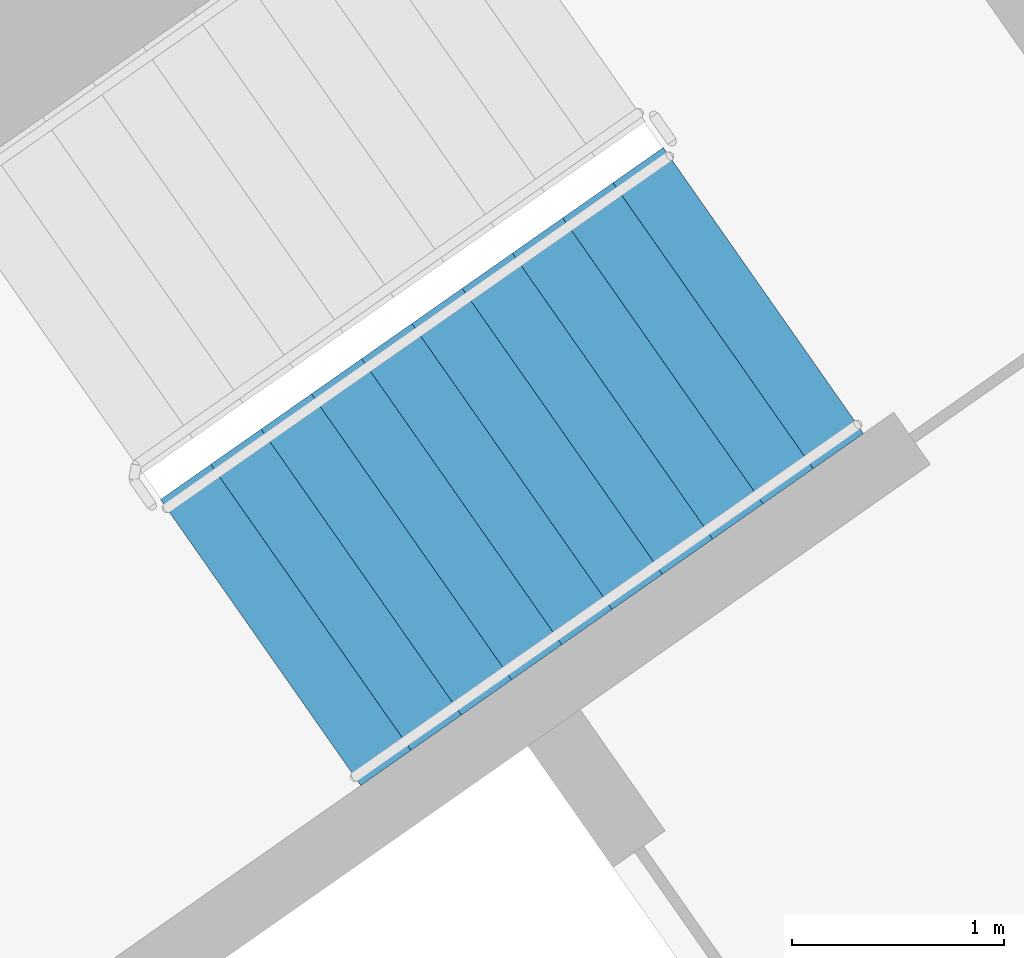
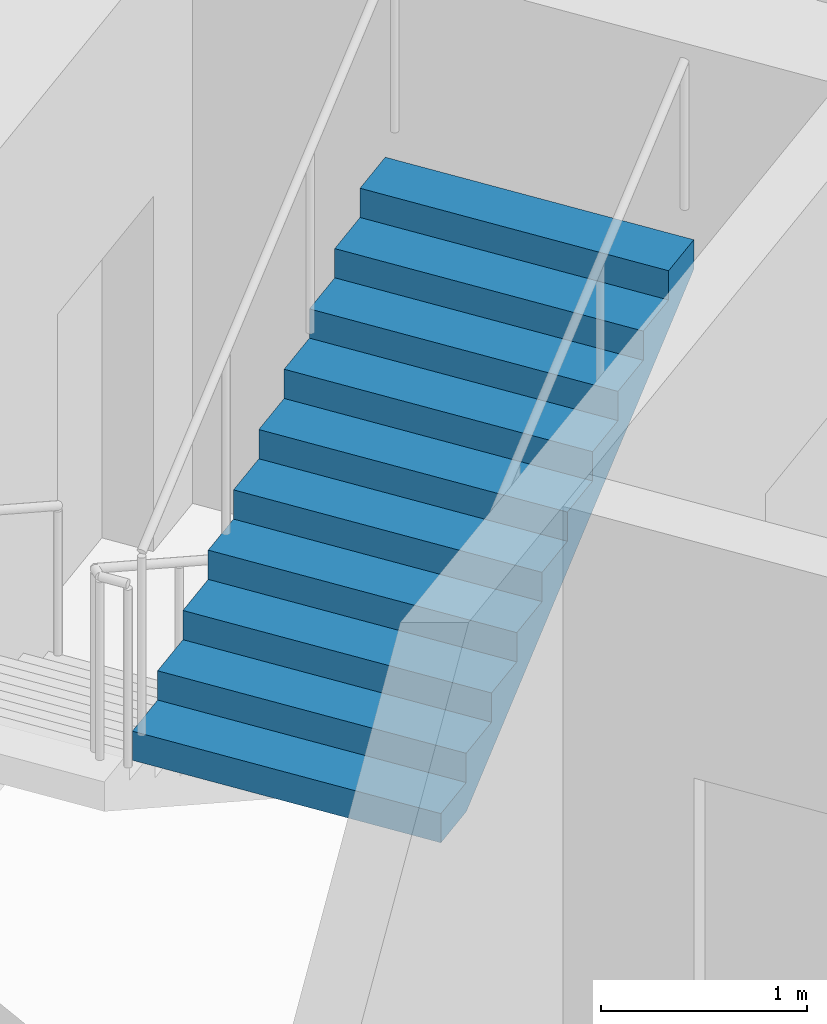
# One storey, part 15 of 27: 1 stair flight, 1 element without a shape of its own.
"""IFC4 building model written with IfcOpenShell, lengths in metres."""

from ifc_helpers import new_model, si_unit, direction, frame, origin, place, context, subcontext, project, spatial, faceted_brep, material, type_object, element, aggregate, save


model = new_model("IFC4")

# Units and contexts
model_context = context("Model", 3, precision=1e-05, world=origin(), true_north=direction((0.0, 1.0)))
body_context = subcontext(model_context, "Body", "Model", "MODEL_VIEW")
ifc_project = project(units=[si_unit("LENGTHUNIT", "METRE"), si_unit("AREAUNIT", "SQUARE_METRE"), si_unit("VOLUMEUNIT", "CUBIC_METRE"), si_unit("PLANEANGLEUNIT", "RADIAN"), si_unit("MASSUNIT", "GRAM", prefix="KILO")], contexts=[model_context])

# Site, building, storey
site_placement = place(None, origin())
site = spatial("IfcSite", under=ifc_project, at=site_placement, CompositionType="ELEMENT")
building_placement = place(site_placement, origin())
building = spatial("IfcBuilding", under=site, at=building_placement, Name="Qamariyya Broadcast Tower", CompositionType="ELEMENT")
storey_placement = place(building_placement, frame((0.0, 0.0, 222.699951171875)))
storey = spatial("IfcBuildingStorey", under=building, at=storey_placement, Name="L53", CompositionType="ELEMENT", Elevation=222.699951171875)

# Stair, stair flight
ifc_material = material(Name="Concrete C50/60", Category="concrete")
stair_type = type_object("IfcStairType", Name="Exit stair 22 risers of 173 mm", PredefinedType="HALF_TURN_STAIR", material=ifc_material)
stair_placement = place(storey_placement, origin())
stair = element("IfcStair", 1, at=stair_placement, inside=storey, type_object=stair_type, Name="L53 Stair E2", PredefinedType="HALF_TURN_STAIR")
stair_flight_type = type_object("IfcStairFlightType", Name="Exit stair flight 11 risers of 173 mm", PredefinedType="STRAIGHT", material=ifc_material)
stair_flight_placement = place(storey_placement, frame((39.215576171875, -50.822998046875, 1.900146484375), z_axis=(0.0, 0.0, 1.0), x_axis=(0.819152044289, 0.573576436351, 0.0)))
stair_flight = element("IfcStairFlight", 2, at=stair_flight_placement, type_object=stair_flight_type, Name="ST-E2 flight 2", NumberOfRisers=11, NumberOfTreads=10, PredefinedType="STRAIGHT", RiserHeight=0.172727273, TreadLength=0.29, context=body_context, shape_type="Brep", body=[
    faceted_brep([(0.0, 0.824951171875, 0.0), (0.0, 0.824951171875, 0.172607421875), (0.2900390625, 0.824951171875, 0.172607421875), (0.2900390625, 0.824951171875, 0.345458984375), (0.580078125, 0.824951171875, 0.345458984375), (0.580078125, 0.824951171875, 0.51806640625), (0.8701171875, 0.824951171875, 0.51806640625), (0.8701171875, 0.824951171875, 0.69091796875), (1.159912109375, 0.824951171875, 0.69091796875), (1.159912109375, 0.824951171875, 0.863525390625), (1.449951171875, 0.824951171875, 0.863525390625), (1.449951171875, 0.824951171875, 1.036376953125), (1.739990234375, 0.824951171875, 1.036376953125), (1.739990234375, 0.824951171875, 1.208984375), (2.030029296875, 0.824951171875, 1.208984375), (2.030029296875, 0.824951171875, 1.3818359375), (2.320068359375, 0.824951171875, 1.3818359375), (2.320068359375, 0.824951171875, 1.554443359375), (2.610107421875, 0.824951171875, 1.554443359375), (2.610107421875, 0.824951171875, 1.727294921875), (2.89990234375, 0.824951171875, 1.727294921875), (2.89990234375, 0.824951171875, 1.552734375), (0.29296875, 0.824951171875, 0.0), (0.29296875, -0.824951171875, 0.0), (2.89990234375, -0.824951171875, 1.552734375), (2.89990234375, -0.824951171875, 1.727294921875), (2.610107421875, -0.824951171875, 1.727294921875), (2.610107421875, -0.824951171875, 1.554443359375), (2.320068359375, -0.824951171875, 1.554443359375), (2.320068359375, -0.824951171875, 1.3818359375), (2.030029296875, -0.824951171875, 1.3818359375), (2.030029296875, -0.824951171875, 1.208984375), (1.739990234375, -0.824951171875, 1.208984375), (1.739990234375, -0.824951171875, 1.036376953125), (1.449951171875, -0.824951171875, 1.036376953125), (1.449951171875, -0.824951171875, 0.863525390625), (1.159912109375, -0.824951171875, 0.863525390625), (1.159912109375, -0.824951171875, 0.69091796875), (0.8701171875, -0.824951171875, 0.69091796875), (0.8701171875, -0.824951171875, 0.51806640625), (0.580078125, -0.824951171875, 0.51806640625), (0.580078125, -0.824951171875, 0.345458984375), (0.2900390625, -0.824951171875, 0.345458984375), (0.2900390625, -0.824951171875, 0.172607421875), (0.0, -0.824951171875, 0.172607421875), (0.0, -0.824951171875, 0.0), (0.0, 0.10009765625, 0.0), (0.0, 0.086669921875, 0.0), (0.0, 0.0732421875, 0.0), (0.0, 0.06005859375, 0.0), (0.0, 0.046630859375, 0.0), (0.0, 0.033447265625, 0.0), (0.0, 0.02001953125, 0.0), (0.0, 0.006591796875, 0.0), (0.0, -0.006591796875, 0.0), (0.0, -0.02001953125, 0.0), (0.0, -0.033447265625, 0.0), (0.0, -0.046630859375, 0.0), (0.0, -0.06005859375, 0.0), (0.0, -0.0732421875, 0.0), (0.0, -0.086669921875, 0.0), (0.0, -0.10009765625, 0.0), (0.0, -0.10009765625, 0.172607421875), (0.0, -0.086669921875, 0.172607421875), (0.0, -0.0732421875, 0.172607421875), (0.0, -0.06005859375, 0.172607421875), (0.0, -0.046630859375, 0.172607421875), (0.0, -0.033447265625, 0.172607421875), (0.0, -0.02001953125, 0.172607421875), (0.0, -0.006591796875, 0.172607421875), (0.0, 0.006591796875, 0.172607421875), (0.0, 0.02001953125, 0.172607421875), (0.0, 0.033447265625, 0.172607421875), (0.0, 0.046630859375, 0.172607421875), (0.0, 0.06005859375, 0.172607421875), (0.0, 0.0732421875, 0.172607421875), (0.0, 0.086669921875, 0.172607421875), (0.0, 0.10009765625, 0.172607421875), (0.2900390625, -0.10009765625, 0.172607421875), (0.2900390625, -0.086669921875, 0.172607421875), (0.2900390625, -0.0732421875, 0.172607421875), (0.2900390625, -0.06005859375, 0.172607421875), (0.2900390625, -0.046630859375, 0.172607421875), (0.2900390625, -0.033447265625, 0.172607421875), (0.2900390625, -0.02001953125, 0.172607421875), (0.2900390625, -0.006591796875, 0.172607421875), (0.2900390625, 0.006591796875, 0.172607421875), (0.2900390625, 0.02001953125, 0.172607421875), (0.2900390625, 0.033447265625, 0.172607421875), (0.2900390625, 0.046630859375, 0.172607421875), (0.2900390625, 0.06005859375, 0.172607421875), (0.2900390625, 0.0732421875, 0.172607421875), (0.2900390625, 0.086669921875, 0.172607421875), (0.2900390625, 0.10009765625, 0.172607421875), (0.2900390625, -0.10009765625, 0.345458984375), (0.2900390625, -0.086669921875, 0.345458984375), (0.2900390625, -0.0732421875, 0.345458984375), (0.2900390625, -0.06005859375, 0.345458984375), (0.2900390625, -0.046630859375, 0.345458984375), (0.2900390625, -0.033447265625, 0.345458984375), (0.2900390625, -0.02001953125, 0.345458984375), (0.2900390625, -0.006591796875, 0.345458984375), (0.2900390625, 0.006591796875, 0.345458984375), (0.2900390625, 0.02001953125, 0.345458984375), (0.2900390625, 0.033447265625, 0.345458984375), (0.2900390625, 0.046630859375, 0.345458984375), (0.2900390625, 0.06005859375, 0.345458984375), (0.2900390625, 0.0732421875, 0.345458984375), (0.2900390625, 0.086669921875, 0.345458984375), (0.2900390625, 0.10009765625, 0.345458984375), (0.580078125, -0.10009765625, 0.345458984375), (0.580078125, -0.086669921875, 0.345458984375), (0.580078125, -0.0732421875, 0.345458984375), (0.580078125, -0.06005859375, 0.345458984375), (0.580078125, -0.046630859375, 0.345458984375), (0.580078125, -0.033447265625, 0.345458984375), (0.580078125, -0.02001953125, 0.345458984375), (0.580078125, -0.006591796875, 0.345458984375), (0.580078125, 0.006591796875, 0.345458984375), (0.580078125, 0.02001953125, 0.345458984375), (0.580078125, 0.033447265625, 0.345458984375), (0.580078125, 0.046630859375, 0.345458984375), (0.580078125, 0.06005859375, 0.345458984375), (0.580078125, 0.0732421875, 0.345458984375), (0.580078125, 0.086669921875, 0.345458984375), (0.580078125, 0.10009765625, 0.345458984375), (0.580078125, -0.10009765625, 0.51806640625), (0.580078125, -0.086669921875, 0.51806640625), (0.580078125, -0.0732421875, 0.51806640625), (0.580078125, -0.06005859375, 0.51806640625), (0.580078125, -0.046630859375, 0.51806640625), (0.580078125, -0.033447265625, 0.51806640625), (0.580078125, -0.02001953125, 0.51806640625), (0.580078125, -0.006591796875, 0.51806640625), (0.580078125, 0.006591796875, 0.51806640625), (0.580078125, 0.02001953125, 0.51806640625), (0.580078125, 0.033447265625, 0.51806640625), (0.580078125, 0.046630859375, 0.51806640625), (0.580078125, 0.06005859375, 0.51806640625), (0.580078125, 0.0732421875, 0.51806640625), (0.580078125, 0.086669921875, 0.51806640625), (0.580078125, 0.10009765625, 0.51806640625), (0.8701171875, -0.10009765625, 0.51806640625), (0.8701171875, -0.086669921875, 0.51806640625), (0.8701171875, -0.0732421875, 0.51806640625), (0.8701171875, -0.06005859375, 0.51806640625), (0.8701171875, -0.046630859375, 0.51806640625), (0.8701171875, -0.033447265625, 0.51806640625), (0.8701171875, -0.02001953125, 0.51806640625), (0.8701171875, -0.006591796875, 0.51806640625), (0.8701171875, 0.006591796875, 0.51806640625), (0.8701171875, 0.02001953125, 0.51806640625), (0.8701171875, 0.033447265625, 0.51806640625), (0.8701171875, 0.046630859375, 0.51806640625), (0.8701171875, 0.06005859375, 0.51806640625), (0.8701171875, 0.0732421875, 0.51806640625), (0.8701171875, 0.086669921875, 0.51806640625), (0.8701171875, 0.10009765625, 0.51806640625), (0.8701171875, -0.10009765625, 0.69091796875), (0.8701171875, -0.086669921875, 0.69091796875), (0.8701171875, -0.0732421875, 0.69091796875), (0.8701171875, -0.06005859375, 0.69091796875), (0.8701171875, -0.046630859375, 0.69091796875), (0.8701171875, -0.033447265625, 0.69091796875), (0.8701171875, -0.02001953125, 0.69091796875), (0.8701171875, -0.006591796875, 0.69091796875), (0.8701171875, 0.006591796875, 0.69091796875), (0.8701171875, 0.02001953125, 0.69091796875), (0.8701171875, 0.033447265625, 0.69091796875), (0.8701171875, 0.046630859375, 0.69091796875), (0.8701171875, 0.06005859375, 0.69091796875), (0.8701171875, 0.0732421875, 0.69091796875), (0.8701171875, 0.086669921875, 0.69091796875), (0.8701171875, 0.10009765625, 0.69091796875), (1.159912109375, -0.10009765625, 0.69091796875), (1.159912109375, -0.086669921875, 0.69091796875), (1.159912109375, -0.0732421875, 0.69091796875), (1.159912109375, -0.06005859375, 0.69091796875), (1.159912109375, -0.046630859375, 0.69091796875), (1.159912109375, -0.033447265625, 0.69091796875), (1.159912109375, -0.02001953125, 0.69091796875), (1.159912109375, -0.006591796875, 0.69091796875), (1.159912109375, 0.006591796875, 0.69091796875), (1.159912109375, 0.02001953125, 0.69091796875), (1.159912109375, 0.033447265625, 0.69091796875), (1.159912109375, 0.046630859375, 0.69091796875), (1.159912109375, 0.06005859375, 0.69091796875), (1.159912109375, 0.0732421875, 0.69091796875), (1.159912109375, 0.086669921875, 0.69091796875), (1.159912109375, 0.10009765625, 0.69091796875), (1.159912109375, -0.10009765625, 0.863525390625), (1.159912109375, -0.086669921875, 0.863525390625), (1.159912109375, -0.0732421875, 0.863525390625), (1.159912109375, -0.06005859375, 0.863525390625), (1.159912109375, -0.046630859375, 0.863525390625), (1.159912109375, -0.033447265625, 0.863525390625), (1.159912109375, -0.02001953125, 0.863525390625), (1.159912109375, -0.006591796875, 0.863525390625), (1.159912109375, 0.006591796875, 0.863525390625), (1.159912109375, 0.02001953125, 0.863525390625), (1.159912109375, 0.033447265625, 0.863525390625), (1.159912109375, 0.046630859375, 0.863525390625), (1.159912109375, 0.06005859375, 0.863525390625), (1.159912109375, 0.0732421875, 0.863525390625), (1.159912109375, 0.086669921875, 0.863525390625), (1.159912109375, 0.10009765625, 0.863525390625), (1.449951171875, -0.10009765625, 0.863525390625), (1.449951171875, -0.086669921875, 0.863525390625), (1.449951171875, -0.0732421875, 0.863525390625), (1.449951171875, -0.06005859375, 0.863525390625), (1.449951171875, -0.046630859375, 0.863525390625), (1.449951171875, -0.033447265625, 0.863525390625), (1.449951171875, -0.02001953125, 0.863525390625), (1.449951171875, -0.006591796875, 0.863525390625), (1.449951171875, 0.006591796875, 0.863525390625), (1.449951171875, 0.02001953125, 0.863525390625), (1.449951171875, 0.033447265625, 0.863525390625), (1.449951171875, 0.046630859375, 0.863525390625), (1.449951171875, 0.06005859375, 0.863525390625), (1.449951171875, 0.0732421875, 0.863525390625), (1.449951171875, 0.086669921875, 0.863525390625), (1.449951171875, 0.10009765625, 0.863525390625), (1.449951171875, -0.10009765625, 1.036376953125), (1.449951171875, -0.086669921875, 1.036376953125), (1.449951171875, -0.0732421875, 1.036376953125), (1.449951171875, -0.06005859375, 1.036376953125), (1.449951171875, -0.046630859375, 1.036376953125), (1.449951171875, -0.033447265625, 1.036376953125), (1.449951171875, -0.02001953125, 1.036376953125), (1.449951171875, -0.006591796875, 1.036376953125), (1.449951171875, 0.006591796875, 1.036376953125), (1.449951171875, 0.02001953125, 1.036376953125), (1.449951171875, 0.033447265625, 1.036376953125), (1.449951171875, 0.046630859375, 1.036376953125), (1.449951171875, 0.06005859375, 1.036376953125), (1.449951171875, 0.0732421875, 1.036376953125), (1.449951171875, 0.086669921875, 1.036376953125), (1.449951171875, 0.10009765625, 1.036376953125), (1.739990234375, -0.10009765625, 1.036376953125), (1.739990234375, -0.086669921875, 1.036376953125), (1.739990234375, -0.0732421875, 1.036376953125), (1.739990234375, -0.06005859375, 1.036376953125), (1.739990234375, -0.046630859375, 1.036376953125), (1.739990234375, -0.033447265625, 1.036376953125), (1.739990234375, -0.02001953125, 1.036376953125), (1.739990234375, -0.006591796875, 1.036376953125), (1.739990234375, 0.006591796875, 1.036376953125), (1.739990234375, 0.02001953125, 1.036376953125), (1.739990234375, 0.033447265625, 1.036376953125), (1.739990234375, 0.046630859375, 1.036376953125), (1.739990234375, 0.06005859375, 1.036376953125), (1.739990234375, 0.0732421875, 1.036376953125), (1.739990234375, 0.086669921875, 1.036376953125), (1.739990234375, 0.10009765625, 1.036376953125), (1.739990234375, -0.10009765625, 1.208984375), (1.739990234375, -0.086669921875, 1.208984375), (1.739990234375, -0.0732421875, 1.208984375), (1.739990234375, -0.06005859375, 1.208984375), (1.739990234375, -0.046630859375, 1.208984375), (1.739990234375, -0.033447265625, 1.208984375), (1.739990234375, -0.02001953125, 1.208984375), (1.739990234375, -0.006591796875, 1.208984375), (1.739990234375, 0.006591796875, 1.208984375), (1.739990234375, 0.02001953125, 1.208984375), (1.739990234375, 0.033447265625, 1.208984375), (1.739990234375, 0.046630859375, 1.208984375), (1.739990234375, 0.06005859375, 1.208984375), (1.739990234375, 0.0732421875, 1.208984375), (1.739990234375, 0.086669921875, 1.208984375), (1.739990234375, 0.10009765625, 1.208984375), (2.030029296875, -0.10009765625, 1.208984375), (2.030029296875, -0.086669921875, 1.208984375), (2.030029296875, -0.0732421875, 1.208984375), (2.030029296875, -0.06005859375, 1.208984375), (2.030029296875, -0.046630859375, 1.208984375), (2.030029296875, -0.033447265625, 1.208984375), (2.030029296875, -0.02001953125, 1.208984375), (2.030029296875, -0.006591796875, 1.208984375), (2.030029296875, 0.006591796875, 1.208984375), (2.030029296875, 0.02001953125, 1.208984375), (2.030029296875, 0.033447265625, 1.208984375), (2.030029296875, 0.046630859375, 1.208984375), (2.030029296875, 0.06005859375, 1.208984375), (2.030029296875, 0.0732421875, 1.208984375), (2.030029296875, 0.086669921875, 1.208984375), (2.030029296875, 0.10009765625, 1.208984375), (2.030029296875, -0.10009765625, 1.3818359375), (2.030029296875, -0.086669921875, 1.3818359375), (2.030029296875, -0.0732421875, 1.3818359375), (2.030029296875, -0.06005859375, 1.3818359375), (2.030029296875, -0.046630859375, 1.3818359375), (2.030029296875, -0.033447265625, 1.3818359375), (2.030029296875, -0.02001953125, 1.3818359375), (2.030029296875, -0.006591796875, 1.3818359375), (2.030029296875, 0.006591796875, 1.3818359375), (2.030029296875, 0.02001953125, 1.3818359375), (2.030029296875, 0.033447265625, 1.3818359375), (2.030029296875, 0.046630859375, 1.3818359375), (2.030029296875, 0.06005859375, 1.3818359375), (2.030029296875, 0.0732421875, 1.3818359375), (2.030029296875, 0.086669921875, 1.3818359375), (2.030029296875, 0.10009765625, 1.3818359375), (2.320068359375, -0.10009765625, 1.3818359375), (2.320068359375, -0.086669921875, 1.3818359375), (2.320068359375, -0.0732421875, 1.3818359375), (2.320068359375, -0.06005859375, 1.3818359375), (2.320068359375, -0.046630859375, 1.3818359375), (2.320068359375, -0.033447265625, 1.3818359375), (2.320068359375, -0.02001953125, 1.3818359375), (2.320068359375, -0.006591796875, 1.3818359375), (2.320068359375, 0.006591796875, 1.3818359375), (2.320068359375, 0.02001953125, 1.3818359375), (2.320068359375, 0.033447265625, 1.3818359375), (2.320068359375, 0.046630859375, 1.3818359375), (2.320068359375, 0.06005859375, 1.3818359375), (2.320068359375, 0.0732421875, 1.3818359375), (2.320068359375, 0.086669921875, 1.3818359375), (2.320068359375, 0.10009765625, 1.3818359375), (2.320068359375, -0.10009765625, 1.554443359375), (2.320068359375, -0.086669921875, 1.554443359375), (2.320068359375, -0.0732421875, 1.554443359375), (2.320068359375, -0.06005859375, 1.554443359375), (2.320068359375, -0.046630859375, 1.554443359375), (2.320068359375, -0.033447265625, 1.554443359375), (2.320068359375, -0.02001953125, 1.554443359375), (2.320068359375, -0.006591796875, 1.554443359375), (2.320068359375, 0.006591796875, 1.554443359375), (2.320068359375, 0.02001953125, 1.554443359375), (2.320068359375, 0.033447265625, 1.554443359375), (2.320068359375, 0.046630859375, 1.554443359375), (2.320068359375, 0.06005859375, 1.554443359375), (2.320068359375, 0.0732421875, 1.554443359375), (2.320068359375, 0.086669921875, 1.554443359375), (2.320068359375, 0.10009765625, 1.554443359375), (2.610107421875, -0.10009765625, 1.554443359375), (2.610107421875, -0.086669921875, 1.554443359375), (2.610107421875, -0.0732421875, 1.554443359375), (2.610107421875, -0.06005859375, 1.554443359375), (2.610107421875, -0.046630859375, 1.554443359375), (2.610107421875, -0.033447265625, 1.554443359375), (2.610107421875, -0.02001953125, 1.554443359375), (2.610107421875, -0.006591796875, 1.554443359375), (2.610107421875, 0.006591796875, 1.554443359375), (2.610107421875, 0.02001953125, 1.554443359375), (2.610107421875, 0.033447265625, 1.554443359375), (2.610107421875, 0.046630859375, 1.554443359375), (2.610107421875, 0.06005859375, 1.554443359375), (2.610107421875, 0.0732421875, 1.554443359375), (2.610107421875, 0.086669921875, 1.554443359375), (2.610107421875, 0.10009765625, 1.554443359375), (2.610107421875, -0.10009765625, 1.727294921875), (2.610107421875, -0.086669921875, 1.727294921875), (2.610107421875, -0.0732421875, 1.727294921875), (2.610107421875, -0.06005859375, 1.727294921875), (2.610107421875, -0.046630859375, 1.727294921875), (2.610107421875, -0.033447265625, 1.727294921875), (2.610107421875, -0.02001953125, 1.727294921875), (2.610107421875, -0.006591796875, 1.727294921875), (2.610107421875, 0.006591796875, 1.727294921875), (2.610107421875, 0.02001953125, 1.727294921875), (2.610107421875, 0.033447265625, 1.727294921875), (2.610107421875, 0.046630859375, 1.727294921875), (2.610107421875, 0.06005859375, 1.727294921875), (2.610107421875, 0.0732421875, 1.727294921875), (2.610107421875, 0.086669921875, 1.727294921875), (2.610107421875, 0.10009765625, 1.727294921875), (2.89990234375, -0.10009765625, 1.727294921875), (2.89990234375, -0.086669921875, 1.727294921875), (2.89990234375, -0.0732421875, 1.727294921875), (2.89990234375, -0.06005859375, 1.727294921875), (2.89990234375, -0.046630859375, 1.727294921875), (2.89990234375, -0.033447265625, 1.727294921875), (2.89990234375, -0.02001953125, 1.727294921875), (2.89990234375, -0.006591796875, 1.727294921875), (2.89990234375, 0.006591796875, 1.727294921875), (2.89990234375, 0.02001953125, 1.727294921875), (2.89990234375, 0.033447265625, 1.727294921875), (2.89990234375, 0.046630859375, 1.727294921875), (2.89990234375, 0.06005859375, 1.727294921875), (2.89990234375, 0.0732421875, 1.727294921875), (2.89990234375, 0.086669921875, 1.727294921875), (2.89990234375, 0.10009765625, 1.727294921875), (2.89990234375, -0.10009765625, 1.552734375), (2.89990234375, -0.086669921875, 1.552734375), (2.89990234375, -0.0732421875, 1.552734375), (2.89990234375, -0.06005859375, 1.552734375), (2.89990234375, -0.046630859375, 1.552734375), (2.89990234375, -0.033447265625, 1.552734375), (2.89990234375, -0.02001953125, 1.552734375), (2.89990234375, -0.006591796875, 1.552734375), (2.89990234375, 0.006591796875, 1.552734375), (2.89990234375, 0.02001953125, 1.552734375), (2.89990234375, 0.033447265625, 1.552734375), (2.89990234375, 0.046630859375, 1.552734375), (2.89990234375, 0.06005859375, 1.552734375), (2.89990234375, 0.0732421875, 1.552734375), (2.89990234375, 0.086669921875, 1.552734375), (2.89990234375, 0.10009765625, 1.552734375), (0.29296875, -0.10009765625, 0.0), (0.29296875, -0.086669921875, 0.0), (0.29296875, -0.0732421875, 0.0), (0.29296875, -0.06005859375, 0.0), (0.29296875, -0.046630859375, 0.0), (0.29296875, -0.033447265625, 0.0), (0.29296875, -0.02001953125, 0.0), (0.29296875, -0.006591796875, 0.0), (0.29296875, 0.006591796875, 0.0), (0.29296875, 0.02001953125, 0.0), (0.29296875, 0.033447265625, 0.0), (0.29296875, 0.046630859375, 0.0), (0.29296875, 0.06005859375, 0.0), (0.29296875, 0.0732421875, 0.0), (0.29296875, 0.086669921875, 0.0), (0.29296875, 0.10009765625, 0.0)], [[[0, 1, 2, 3, 4, 5, 6, 7, 8, 9, 10, 11, 12, 13, 14, 15, 16, 17, 18, 19, 20, 21, 22]], [[23, 24, 25, 26, 27, 28, 29, 30, 31, 32, 33, 34, 35, 36, 37, 38, 39, 40, 41, 42, 43, 44, 45]], [[0, 46, 47, 48, 49, 50, 51, 52, 53, 54, 55, 56, 57, 58, 59, 60, 61, 45, 44, 62, 63, 64, 65, 66, 67, 68, 69, 70, 71, 72, 73, 74, 75, 76, 77, 1]], [[1, 77, 76, 75, 74, 73, 72, 71, 70, 69, 68, 67, 66, 65, 64, 63, 62, 44, 43, 78, 79, 80, 81, 82, 83, 84, 85, 86, 87, 88, 89, 90, 91, 92, 93, 2]], [[2, 93, 92, 91, 90, 89, 88, 87, 86, 85, 84, 83, 82, 81, 80, 79, 78, 43, 42, 94, 95, 96, 97, 98, 99, 100, 101, 102, 103, 104, 105, 106, 107, 108, 109, 3]], [[3, 109, 108, 107, 106, 105, 104, 103, 102, 101, 100, 99, 98, 97, 96, 95, 94, 42, 41, 110, 111, 112, 113, 114, 115, 116, 117, 118, 119, 120, 121, 122, 123, 124, 125, 4]], [[4, 125, 124, 123, 122, 121, 120, 119, 118, 117, 116, 115, 114, 113, 112, 111, 110, 41, 40, 126, 127, 128, 129, 130, 131, 132, 133, 134, 135, 136, 137, 138, 139, 140, 141, 5]], [[5, 141, 140, 139, 138, 137, 136, 135, 134, 133, 132, 131, 130, 129, 128, 127, 126, 40, 39, 142, 143, 144, 145, 146, 147, 148, 149, 150, 151, 152, 153, 154, 155, 156, 157, 6]], [[6, 157, 156, 155, 154, 153, 152, 151, 150, 149, 148, 147, 146, 145, 144, 143, 142, 39, 38, 158, 159, 160, 161, 162, 163, 164, 165, 166, 167, 168, 169, 170, 171, 172, 173, 7]], [[7, 173, 172, 171, 170, 169, 168, 167, 166, 165, 164, 163, 162, 161, 160, 159, 158, 38, 37, 174, 175, 176, 177, 178, 179, 180, 181, 182, 183, 184, 185, 186, 187, 188, 189, 8]], [[8, 189, 188, 187, 186, 185, 184, 183, 182, 181, 180, 179, 178, 177, 176, 175, 174, 37, 36, 190, 191, 192, 193, 194, 195, 196, 197, 198, 199, 200, 201, 202, 203, 204, 205, 9]], [[9, 205, 204, 203, 202, 201, 200, 199, 198, 197, 196, 195, 194, 193, 192, 191, 190, 36, 35, 206, 207, 208, 209, 210, 211, 212, 213, 214, 215, 216, 217, 218, 219, 220, 221, 10]], [[10, 221, 220, 219, 218, 217, 216, 215, 214, 213, 212, 211, 210, 209, 208, 207, 206, 35, 34, 222, 223, 224, 225, 226, 227, 228, 229, 230, 231, 232, 233, 234, 235, 236, 237, 11]], [[11, 237, 236, 235, 234, 233, 232, 231, 230, 229, 228, 227, 226, 225, 224, 223, 222, 34, 33, 238, 239, 240, 241, 242, 243, 244, 245, 246, 247, 248, 249, 250, 251, 252, 253, 12]], [[12, 253, 252, 251, 250, 249, 248, 247, 246, 245, 244, 243, 242, 241, 240, 239, 238, 33, 32, 254, 255, 256, 257, 258, 259, 260, 261, 262, 263, 264, 265, 266, 267, 268, 269, 13]], [[13, 269, 268, 267, 266, 265, 264, 263, 262, 261, 260, 259, 258, 257, 256, 255, 254, 32, 31, 270, 271, 272, 273, 274, 275, 276, 277, 278, 279, 280, 281, 282, 283, 284, 285, 14]], [[14, 285, 284, 283, 282, 281, 280, 279, 278, 277, 276, 275, 274, 273, 272, 271, 270, 31, 30, 286, 287, 288, 289, 290, 291, 292, 293, 294, 295, 296, 297, 298, 299, 300, 301, 15]], [[15, 301, 300, 299, 298, 297, 296, 295, 294, 293, 292, 291, 290, 289, 288, 287, 286, 30, 29, 302, 303, 304, 305, 306, 307, 308, 309, 310, 311, 312, 313, 314, 315, 316, 317, 16]], [[16, 317, 316, 315, 314, 313, 312, 311, 310, 309, 308, 307, 306, 305, 304, 303, 302, 29, 28, 318, 319, 320, 321, 322, 323, 324, 325, 326, 327, 328, 329, 330, 331, 332, 333, 17]], [[17, 333, 332, 331, 330, 329, 328, 327, 326, 325, 324, 323, 322, 321, 320, 319, 318, 28, 27, 334, 335, 336, 337, 338, 339, 340, 341, 342, 343, 344, 345, 346, 347, 348, 349, 18]], [[18, 349, 348, 347, 346, 345, 344, 343, 342, 341, 340, 339, 338, 337, 336, 335, 334, 27, 26, 350, 351, 352, 353, 354, 355, 356, 357, 358, 359, 360, 361, 362, 363, 364, 365, 19]], [[19, 365, 364, 363, 362, 361, 360, 359, 358, 357, 356, 355, 354, 353, 352, 351, 350, 26, 25, 366, 367, 368, 369, 370, 371, 372, 373, 374, 375, 376, 377, 378, 379, 380, 381, 20]], [[20, 381, 380, 379, 378, 377, 376, 375, 374, 373, 372, 371, 370, 369, 368, 367, 366, 25, 24, 382, 383, 384, 385, 386, 387, 388, 389, 390, 391, 392, 393, 394, 395, 396, 397, 21]], [[21, 397, 396, 395, 394, 393, 392, 391, 390, 389, 388, 387, 386, 385, 384, 383, 382, 24, 23, 398, 399, 400, 401, 402, 403, 404, 405, 406, 407, 408, 409, 410, 411, 412, 413, 22]], [[22, 413, 412, 411, 410, 409, 408, 407, 406, 405, 404, 403, 402, 401, 400, 399, 398, 23, 45, 61, 60, 59, 58, 57, 56, 55, 54, 53, 52, 51, 50, 49, 48, 47, 46, 0]]]),
])
aggregate(stair, [stair_flight])

save(model, "model.ifc")
